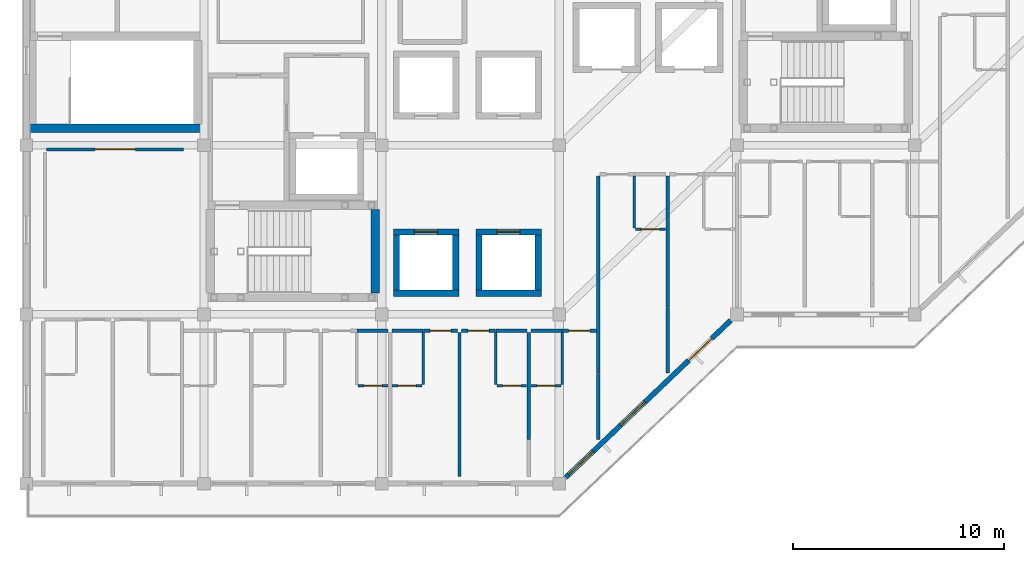
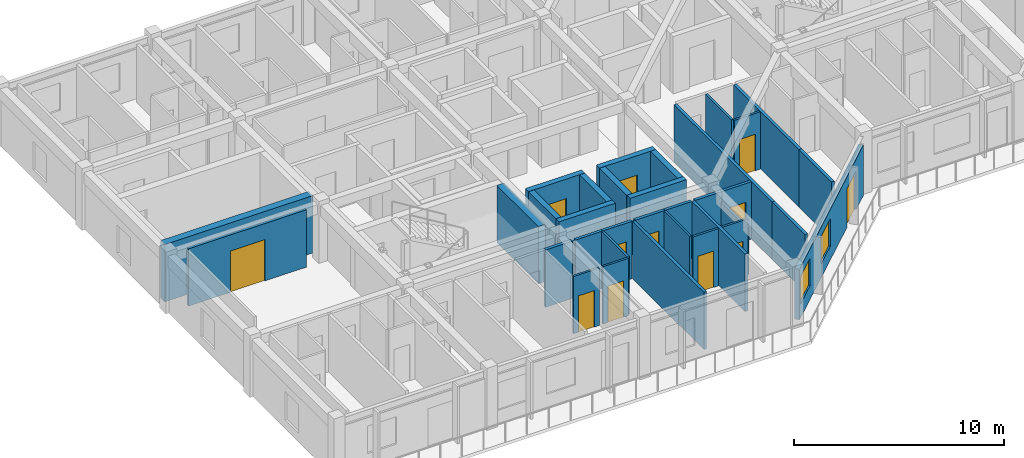
# One storey, part 5 of 14: 34 walls, 12 doors, 2 windows, 14 openings.
"""IFC4 building model written with IfcOpenShell, lengths in metres."""

from ifc_helpers import new_model, si_unit, direction, frame, frame_2d, origin, place, context, subcontext, project, spatial, rectangle, extrude, material, layer, layer_set, type_object, element, fill, save


model = new_model("IFC4")

# Units and contexts
model_context = context("Model", 3, precision=1e-05, world=origin(), true_north=direction((0.0, 1.0)))
body_context = subcontext(model_context, "Body", "Model", "MODEL_VIEW")
ifc_project = project(units=[si_unit("LENGTHUNIT", "METRE"), si_unit("AREAUNIT", "SQUARE_METRE"), si_unit("VOLUMEUNIT", "CUBIC_METRE"), si_unit("PLANEANGLEUNIT", "RADIAN"), si_unit("MASSUNIT", "GRAM", prefix="KILO")], contexts=[model_context])

# Site, building, storey
site_placement = place(None, origin())
site = spatial("IfcSite", under=ifc_project, at=site_placement, CompositionType="ELEMENT")
building_placement = place(site_placement, origin())
building = spatial("IfcBuilding", under=site, at=building_placement, Name="Naruveol Harbour Congress Hotel", CompositionType="ELEMENT")
storey_placement = place(building_placement, frame((0.0, 0.0, 39.60009765625)))
storey = spatial("IfcBuildingStorey", under=building, at=storey_placement, Name="L09", CompositionType="ELEMENT", Elevation=39.60009765625)

# Wall, opening, door
ifc_material_1 = material(Name="Acoustic Double Stud Gypsum", Category="gypsum")
ifc_layer_1 = layer(ifc_material_1, 0.139892578125)
ifc_layer_set_1 = layer_set([ifc_layer_1], Name="Acoustic Double Stud Gypsum")
wall_type_1 = type_object("IfcWallType", Name="ACOUSTIC MEETING PARTITION WALL 140", PredefinedType="PARTITIONING", material=ifc_layer_set_1)
wall_1_placement = place(storey_placement, frame((118.56005859375, 15.800048828125, 0.0), z_axis=(0.0, 0.0, 1.0), x_axis=(1.0, 0.0, 0.0)))
wall_1 = element("IfcWall", 1, at=wall_1_placement, inside=storey, type_object=wall_type_1, Name="Sky Club Salon north entry wall PW-140", PredefinedType="PARTITIONING", context=body_context, shape_type="SweptSolid", body=[
    extrude(rectangle(XDim=6.47998046875, YDim=0.139892578125, at=frame_2d((3.239990234375, 0.0))), origin(), (0.0, 0.0, 1.0), 3.3349609375),
])
opening_1_placement = place(wall_1_placement, frame((2.2900390625, 0.0, 0.0)))
opening_1 = element("IfcOpeningElement", 2, at=opening_1_placement, cuts=wall_1, Name="Opening ID-LG-127", PredefinedType="OPENING", context=body_context, shape_type="SweptSolid", body=[
    extrude(rectangle(XDim=1.89990234375, YDim=2.39990234375, at=frame_2d((0.949951171875, 1.199951171875))), frame((0.0, 0.079833984375, 0.0), z_axis=(0.0, -1.0, 0.0), x_axis=(1.0, 0.0, 0.0)), (0.0, 0.0, 1.0), 0.159912109375),
])
ifc_material_2 = material(Name="Timber & Steel Acoustic Leaf", Category="steel")
door_type_1 = type_object("IfcDoorType", Name="RESTAURANT AND LOUNGE GLAZED DOOR 1900X2400", OperationType="DOUBLE_DOOR_SINGLE_SWING", PredefinedType="DOOR", material=ifc_material_2)
door_1_placement = place(opening_1_placement, origin())
door_1 = element("IfcDoor", 3, at=door_1_placement, inside=storey, type_object=door_type_1, Name="Sky Club Salon Entrance Door", OperationType="DOUBLE_DOOR_SINGLE_SWING", OverallHeight=2.39990234375, OverallWidth=1.89990234375, PredefinedType="DOOR", context=body_context, shape_type="SweptSolid", body=[
    extrude(rectangle(XDim=1.89990234375, YDim=2.39990234375, at=frame_2d((0.949951171875, 1.199951171875))), frame((0.0, 0.02490234375, 0.0), z_axis=(0.0, -1.0, 0.0), x_axis=(1.0, 0.0, 0.0)), (0.0, 0.0, 1.0), 0.050048828125),
])
fill(opening_1, door_1)

ifc_material_3 = material(Name="Moisture-Resistant Gypsum Partition", Category="gypsum")
ifc_layer_2 = layer(ifc_material_3, 0.114990234375)
ifc_layer_set_2 = layer_set([ifc_layer_2], Name="Moisture-Resistant Gypsum Partition")
wall_type_2 = type_object("IfcWallType", Name="BATHROOM MOISTURE PARTITION WALL 115", PredefinedType="PARTITIONING", material=ifc_layer_set_2)
wall_2_placement = place(storey_placement, frame((133.2900390625, 4.6298828125, 0.0), z_axis=(0.0, 0.0, 1.0), x_axis=(1.0, 0.0, 0.0)))
wall_2 = element("IfcWall", 4, at=wall_2_placement, inside=storey, type_object=wall_type_2, Name="Bathroom south wall 1055 PW-115", PredefinedType="PARTITIONING", context=body_context, shape_type="SweptSolid", body=[
    extrude(rectangle(XDim=1.409912109375, YDim=0.114990234375, at=frame_2d((0.705078125, 0.0))), origin(), (0.0, 0.0, 1.0), 3.3349609375),
])
opening_2_placement = place(wall_2_placement, frame((0.27490234375, 0.0, 0.0)))
opening_2 = element("IfcOpeningElement", 5, at=opening_2_placement, cuts=wall_2, Name="Opening BD-RM1055", PredefinedType="OPENING", context=body_context, shape_type="SweptSolid", body=[
    extrude(rectangle(XDim=0.860107421875, YDim=2.1201171875, at=frame_2d((0.43017578125, 1.06005859375))), frame((0.0, 0.0673828125, 0.0), z_axis=(0.0, -1.0, 0.0), x_axis=(1.0, 0.0, 0.0)), (0.0, 0.0, 1.0), 0.135009765625),
])
ifc_material_4 = material(Name="Timber & Steel Acoustic Leaf", Category="steel")
door_type_2 = type_object("IfcDoorType", Name="GUEST BATHROOM DOOR 860X2120", OperationType="NOTDEFINED", PredefinedType="DOOR", material=ifc_material_4)
door_2_placement = place(opening_2_placement, origin())
door_2 = element("IfcDoor", 6, at=door_2_placement, inside=storey, type_object=door_type_2, Name="Bathroom Door 1055", OperationType="SINGLE_SWING_RIGHT", OverallHeight=2.1201171875, OverallWidth=0.860107421875, PredefinedType="DOOR", context=body_context, shape_type="SweptSolid", body=[
    extrude(rectangle(XDim=0.860107421875, YDim=2.1201171875, at=frame_2d((0.43017578125, 1.06005859375))), frame((0.0, 0.02490234375, 0.0), z_axis=(0.0, -1.0, 0.0), x_axis=(1.0, 0.0, 0.0)), (0.0, 0.0, 1.0), 0.050048828125),
])
fill(opening_2, door_2)

# Wall
wall_3_placement = place(storey_placement, frame((136.3701171875, 4.68994140625, 0.0), z_axis=(0.0, 0.0, 1.0), x_axis=(0.0, 1.0, 0.0)))
element("IfcWall", 7, at=wall_3_placement, inside=storey, type_object=wall_type_2, Name="Bathroom east wall 1056 PW-115", PredefinedType="PARTITIONING", context=body_context, shape_type="SweptSolid", body=[
    extrude(rectangle(XDim=2.449951171875, YDim=0.114990234375, at=frame_2d((1.22509765625, 0.0))), origin(), (0.0, 0.0, 1.0), 3.3349609375),
])

# Wall, opening, door
wall_4_placement = place(storey_placement, frame((134.89990234375, 4.6298828125, 0.0), z_axis=(0.0, 0.0, 1.0), x_axis=(1.0, 0.0, 0.0)))
wall_4 = element("IfcWall", 8, at=wall_4_placement, inside=storey, type_object=wall_type_2, Name="Bathroom south wall 1056 PW-115", PredefinedType="PARTITIONING", context=body_context, shape_type="SweptSolid", body=[
    extrude(rectangle(XDim=1.41015625, YDim=0.114990234375, at=frame_2d((0.705078125, 0.0))), origin(), (0.0, 0.0, 1.0), 3.3349609375),
])
opening_3_placement = place(wall_4_placement, frame((0.27490234375, 0.0, 0.0)))
opening_3 = element("IfcOpeningElement", 9, at=opening_3_placement, cuts=wall_4, Name="Opening BD-RM1056", PredefinedType="OPENING", context=body_context, shape_type="SweptSolid", body=[
    extrude(rectangle(XDim=0.860107421875, YDim=2.1201171875, at=frame_2d((0.43017578125, 1.06005859375))), frame((0.0, 0.0673828125, 0.0), z_axis=(0.0, -1.0, 0.0), x_axis=(1.0, 0.0, 0.0)), (0.0, 0.0, 1.0), 0.135009765625),
])
door_3_placement = place(opening_3_placement, origin())
door_3 = element("IfcDoor", 10, at=door_3_placement, inside=storey, type_object=door_type_2, Name="Bathroom Door 1056", OperationType="SINGLE_SWING_RIGHT", OverallHeight=2.1201171875, OverallWidth=0.860107421875, PredefinedType="DOOR", context=body_context, shape_type="SweptSolid", body=[
    extrude(rectangle(XDim=0.860107421875, YDim=2.1201171875, at=frame_2d((0.43017578125, 1.06005859375))), frame((0.0, 0.02490234375, 0.0), z_axis=(0.0, -1.0, 0.0), x_axis=(1.0, 0.0, 0.0)), (0.0, 0.0, 1.0), 0.050048828125),
])
fill(opening_3, door_3)

# Wall
wall_5_placement = place(storey_placement, frame((139.7900390625, 4.68994140625, 0.0), z_axis=(0.0, 0.0, 1.0), x_axis=(0.0, 1.0, 0.0)))
element("IfcWall", 11, at=wall_5_placement, inside=storey, type_object=wall_type_2, Name="Bathroom west wall 1057 PW-115", PredefinedType="PARTITIONING", context=body_context, shape_type="SweptSolid", body=[
    extrude(rectangle(XDim=2.449951171875, YDim=0.114990234375, at=frame_2d((1.22509765625, 0.0))), origin(), (0.0, 0.0, 1.0), 3.3349609375),
])

# Wall, opening, door
wall_6_placement = place(storey_placement, frame((139.85009765625, 4.6298828125, 0.0), z_axis=(0.0, 0.0, 1.0), x_axis=(1.0, 0.0, 0.0)))
wall_6 = element("IfcWall", 12, at=wall_6_placement, inside=storey, type_object=wall_type_2, Name="Bathroom south wall 1057 PW-115", PredefinedType="PARTITIONING", context=body_context, shape_type="SweptSolid", body=[
    extrude(rectangle(XDim=1.409912109375, YDim=0.114990234375, at=frame_2d((0.705078125, 0.0))), origin(), (0.0, 0.0, 1.0), 3.3349609375),
])
opening_4_placement = place(wall_6_placement, frame((0.27490234375, 0.0, 0.0)))
opening_4 = element("IfcOpeningElement", 13, at=opening_4_placement, cuts=wall_6, Name="Opening BD-RM1057", PredefinedType="OPENING", context=body_context, shape_type="SweptSolid", body=[
    extrude(rectangle(XDim=0.860107421875, YDim=2.1201171875, at=frame_2d((0.43017578125, 1.06005859375))), frame((0.0, 0.0673828125, 0.0), z_axis=(0.0, -1.0, 0.0), x_axis=(1.0, 0.0, 0.0)), (0.0, 0.0, 1.0), 0.135009765625),
])
door_4_placement = place(opening_4_placement, origin())
door_4 = element("IfcDoor", 14, at=door_4_placement, inside=storey, type_object=door_type_2, Name="Bathroom Door 1057", OperationType="SINGLE_SWING_RIGHT", OverallHeight=2.1201171875, OverallWidth=0.860107421875, PredefinedType="DOOR", context=body_context, shape_type="SweptSolid", body=[
    extrude(rectangle(XDim=0.860107421875, YDim=2.1201171875, at=frame_2d((0.43017578125, 1.06005859375))), frame((0.0, 0.02490234375, 0.0), z_axis=(0.0, -1.0, 0.0), x_axis=(1.0, 0.0, 0.0)), (0.0, 0.0, 1.0), 0.050048828125),
])
fill(opening_4, door_4)

# Wall
wall_7_placement = place(storey_placement, frame((142.929931640625, 4.68994140625, 0.0), z_axis=(0.0, 0.0, 1.0), x_axis=(0.0, 1.0, 0.0)))
element("IfcWall", 15, at=wall_7_placement, inside=storey, type_object=wall_type_2, Name="Bathroom east wall 1058 PW-115", PredefinedType="PARTITIONING", context=body_context, shape_type="SweptSolid", body=[
    extrude(rectangle(XDim=2.449951171875, YDim=0.114990234375, at=frame_2d((1.22509765625, 0.0))), origin(), (0.0, 0.0, 1.0), 2.739990234375),
])

# Wall, opening, door
wall_8_placement = place(storey_placement, frame((141.4599609375, 4.6298828125, 0.0), z_axis=(0.0, 0.0, 1.0), x_axis=(1.0, 0.0, 0.0)))
wall_8 = element("IfcWall", 16, at=wall_8_placement, inside=storey, type_object=wall_type_2, Name="Bathroom south wall 1058 PW-115", PredefinedType="PARTITIONING", context=body_context, shape_type="SweptSolid", body=[
    extrude(rectangle(XDim=1.41015625, YDim=0.114990234375, at=frame_2d((0.705078125, 0.0))), origin(), (0.0, 0.0, 1.0), 3.3349609375),
])
opening_5_placement = place(wall_8_placement, frame((0.27490234375, 0.0, 0.0)))
opening_5 = element("IfcOpeningElement", 17, at=opening_5_placement, cuts=wall_8, Name="Opening BD-RM1058", PredefinedType="OPENING", context=body_context, shape_type="SweptSolid", body=[
    extrude(rectangle(XDim=0.860107421875, YDim=2.1201171875, at=frame_2d((0.43017578125, 1.06005859375))), frame((0.0, 0.0673828125, 0.0), z_axis=(0.0, -1.0, 0.0), x_axis=(1.0, 0.0, 0.0)), (0.0, 0.0, 1.0), 0.135009765625),
])
door_5_placement = place(opening_5_placement, origin())
door_5 = element("IfcDoor", 18, at=door_5_placement, inside=storey, type_object=door_type_2, Name="Bathroom Door 1058", OperationType="SINGLE_SWING_RIGHT", OverallHeight=2.1201171875, OverallWidth=0.860107421875, PredefinedType="DOOR", context=body_context, shape_type="SweptSolid", body=[
    extrude(rectangle(XDim=0.860107421875, YDim=2.1201171875, at=frame_2d((0.43017578125, 1.06005859375))), frame((0.0, 0.02490234375, 0.0), z_axis=(0.0, -1.0, 0.0), x_axis=(1.0, 0.0, 0.0)), (0.0, 0.0, 1.0), 0.050048828125),
])
fill(opening_5, door_5)

# Wall
wall_9_placement = place(storey_placement, frame((146.35009765625, 12.090087890625, 0.0), z_axis=(0.0, 0.0, 1.0), x_axis=(0.0, 1.0, 0.0)))
element("IfcWall", 19, at=wall_9_placement, inside=storey, type_object=wall_type_2, Name="Bathroom west wall 1059 PW-115", PredefinedType="PARTITIONING", context=body_context, shape_type="SweptSolid", body=[
    extrude(rectangle(XDim=2.449951171875, YDim=0.114990234375, at=frame_2d((1.22509765625, 0.0))), origin(), (0.0, 0.0, 1.0), 3.3349609375),
])

# Wall, opening, door
wall_10_placement = place(storey_placement, frame((146.409912109375, 12.030029296875, 0.0), z_axis=(0.0, 0.0, 1.0), x_axis=(1.0, 0.0, 0.0)))
wall_10 = element("IfcWall", 20, at=wall_10_placement, inside=storey, type_object=wall_type_2, Name="Bathroom south wall 1059 PW-115", PredefinedType="PARTITIONING", context=body_context, shape_type="SweptSolid", body=[
    extrude(rectangle(XDim=1.41015625, YDim=0.114990234375, at=frame_2d((0.705078125, 0.0))), origin(), (0.0, 0.0, 1.0), 3.3349609375),
])
opening_6_placement = place(wall_10_placement, frame((0.27490234375, 0.0, 0.0)))
opening_6 = element("IfcOpeningElement", 21, at=opening_6_placement, cuts=wall_10, Name="Opening BD-RM1059", PredefinedType="OPENING", context=body_context, shape_type="SweptSolid", body=[
    extrude(rectangle(XDim=0.860107421875, YDim=2.1201171875, at=frame_2d((0.43017578125, 1.06005859375))), frame((0.0, 0.0673828125, 0.0), z_axis=(0.0, -1.0, 0.0), x_axis=(1.0, 0.0, 0.0)), (0.0, 0.0, 1.0), 0.135009765625),
])
door_6_placement = place(opening_6_placement, origin())
door_6 = element("IfcDoor", 22, at=door_6_placement, inside=storey, type_object=door_type_2, Name="Bathroom Door 1059", OperationType="SINGLE_SWING_RIGHT", OverallHeight=2.1201171875, OverallWidth=0.860107421875, PredefinedType="DOOR", context=body_context, shape_type="SweptSolid", body=[
    extrude(rectangle(XDim=0.860107421875, YDim=2.1201171875, at=frame_2d((0.43017578125, 1.06005859375))), frame((0.0, 0.02490234375, 0.0), z_axis=(0.0, -1.0, 0.0), x_axis=(1.0, 0.0, 0.0)), (0.0, 0.0, 1.0), 0.050048828125),
])
fill(opening_6, door_6)

# Walls
ifc_material_5 = material(Name="Autoclaved Aerated Concrete Block", Category="concrete")
ifc_layer_3 = layer(ifc_material_5, 0.159912109375)
ifc_layer_set_3 = layer_set([ifc_layer_3], Name="Autoclaved Aerated Concrete Block")
wall_type_3 = type_object("IfcWallType", Name="HOTEL PARTY AND CORRIDOR WALL 160 EI60", PredefinedType="PARTITIONING", material=ifc_layer_set_3)
wall_11_placement = place(storey_placement, frame((133.239990234375, 7.22998046875, 0.0), z_axis=(0.0, 0.0, 1.0), x_axis=(1.0, 0.0, 0.0)))
element("IfcWall", 23, at=wall_11_placement, inside=storey, type_object=wall_type_3, Name="Corridor wall 1055B PW-160", PredefinedType="PARTITIONING", context=body_context, shape_type="SweptSolid", body=[
    extrude(rectangle(XDim=1.469970703125, YDim=0.159912109375, at=frame_2d((0.73486328125, 0.0))), origin(), (0.0, 0.0, 1.0), 3.3349609375),
])
wall_12_placement = place(storey_placement, frame((134.889892578125, 7.22998046875, 0.0), z_axis=(0.0, 0.0, 1.0), x_axis=(1.0, 0.0, 0.0)))
element("IfcWall", 24, at=wall_12_placement, inside=storey, type_object=wall_type_3, Name="Corridor wall 1056B PW-160", PredefinedType="PARTITIONING", context=body_context, shape_type="SweptSolid", body=[
    extrude(rectangle(XDim=1.47021484375, YDim=0.159912109375, at=frame_2d((0.735107421875, 0.0))), origin(), (0.0, 0.0, 1.0), 3.3349609375),
])

# Wall, opening, door
wall_13_placement = place(storey_placement, frame((136.3701171875, 7.22998046875, 0.0), z_axis=(0.0, 0.0, 1.0), x_axis=(1.0, 0.0, 0.0)))
wall_13 = element("IfcWall", 25, at=wall_13_placement, inside=storey, type_object=wall_type_3, Name="Corridor entry wall 1056 PW-160", PredefinedType="PARTITIONING", context=body_context, shape_type="SweptSolid", body=[
    extrude(rectangle(XDim=1.619873046875, YDim=0.159912109375, at=frame_2d((0.81005859375, 0.0))), origin(), (0.0, 0.0, 1.0), 3.3349609375),
])
opening_7_placement = place(wall_13_placement, frame((0.31005859375, 0.0, 0.0)))
opening_7 = element("IfcOpeningElement", 26, at=opening_7_placement, cuts=wall_13, Name="Opening FD-RM1056", PredefinedType="OPENING", context=body_context, shape_type="SweptSolid", body=[
    extrude(rectangle(XDim=1.0, YDim=2.25, at=frame_2d((0.5, 1.125))), frame((0.0, 0.08984375, 0.0), z_axis=(0.0, -1.0, 0.0), x_axis=(1.0, 0.0, 0.0)), (0.0, 0.0, 1.0), 0.179931640625),
])
ifc_material_6 = material(Name="Timber & Steel Acoustic Leaf", Category="steel")
door_type_3 = type_object("IfcDoorType", Name="DELUXE GUEST ENTRANCE FIRE DOOR 1000X2250", OperationType="NOTDEFINED", PredefinedType="DOOR", material=ifc_material_6)
door_7_placement = place(opening_7_placement, origin())
door_7 = element("IfcDoor", 27, at=door_7_placement, inside=storey, type_object=door_type_3, Name="Hotel Room Door 1056", OperationType="SINGLE_SWING_LEFT", OverallHeight=2.25, OverallWidth=1.0, PredefinedType="DOOR", context=body_context, shape_type="SweptSolid", body=[
    extrude(rectangle(XDim=1.0, YDim=2.25, at=frame_2d((0.5, 1.125))), frame((0.0, 0.02490234375, 0.0), z_axis=(0.0, -1.0, 0.0), x_axis=(1.0, 0.0, 0.0)), (0.0, 0.0, 1.0), 0.050048828125),
])
fill(opening_7, door_7)

wall_14_placement = place(storey_placement, frame((138.169921875, 7.22998046875, 0.0), z_axis=(0.0, 0.0, 1.0), x_axis=(1.0, 0.0, 0.0)))
wall_14 = element("IfcWall", 28, at=wall_14_placement, inside=storey, type_object=wall_type_3, Name="Corridor entry wall 1057 PW-160", PredefinedType="PARTITIONING", context=body_context, shape_type="SweptSolid", body=[
    extrude(rectangle(XDim=1.6201171875, YDim=0.159912109375, at=frame_2d((0.81005859375, 0.0))), origin(), (0.0, 0.0, 1.0), 3.3349609375),
])
opening_8_placement = place(wall_14_placement, frame((0.31005859375, 0.0, 0.0)))
opening_8 = element("IfcOpeningElement", 29, at=opening_8_placement, cuts=wall_14, Name="Opening FD-RM1057", PredefinedType="OPENING", context=body_context, shape_type="SweptSolid", body=[
    extrude(rectangle(XDim=1.0, YDim=2.25, at=frame_2d((0.5, 1.125))), frame((0.0, 0.08984375, 0.0), z_axis=(0.0, -1.0, 0.0), x_axis=(1.0, 0.0, 0.0)), (0.0, 0.0, 1.0), 0.179931640625),
])
door_8_placement = place(opening_8_placement, origin())
door_8 = element("IfcDoor", 30, at=door_8_placement, inside=storey, type_object=door_type_3, Name="Hotel Room Door 1057", OperationType="SINGLE_SWING_LEFT", OverallHeight=2.25, OverallWidth=1.0, PredefinedType="DOOR", context=body_context, shape_type="SweptSolid", body=[
    extrude(rectangle(XDim=1.0, YDim=2.25, at=frame_2d((0.5, 1.125))), frame((0.0, 0.02490234375, 0.0), z_axis=(0.0, -1.0, 0.0), x_axis=(1.0, 0.0, 0.0)), (0.0, 0.0, 1.0), 0.050048828125),
])
fill(opening_8, door_8)

# Walls
wall_15_placement = place(storey_placement, frame((139.800048828125, 7.22998046875, 0.0), z_axis=(0.0, 0.0, 1.0), x_axis=(1.0, 0.0, 0.0)))
element("IfcWall", 31, at=wall_15_placement, inside=storey, type_object=wall_type_3, Name="Corridor wall 1057B PW-160", PredefinedType="PARTITIONING", context=body_context, shape_type="SweptSolid", body=[
    extrude(rectangle(XDim=1.469970703125, YDim=0.159912109375, at=frame_2d((0.73486328125, 0.0))), origin(), (0.0, 0.0, 1.0), 3.3349609375),
])
wall_16_placement = place(storey_placement, frame((138.080078125, 0.340087890625, 0.0), z_axis=(0.0, 0.0, 1.0), x_axis=(0.0, 1.0, 0.0)))
element("IfcWall", 32, at=wall_16_placement, inside=storey, type_object=wall_type_3, Name="Hotel party wall 1057 PW-160", PredefinedType="PARTITIONING", context=body_context, shape_type="SweptSolid", body=[
    extrude(rectangle(XDim=6.7998046875, YDim=0.159912109375, at=frame_2d((3.39990234375, 0.0))), origin(), (0.0, 0.0, 1.0), 3.3349609375),
])
wall_17_placement = place(storey_placement, frame((141.449951171875, 7.22998046875, 0.0), z_axis=(0.0, 0.0, 1.0), x_axis=(1.0, 0.0, 0.0)))
element("IfcWall", 33, at=wall_17_placement, inside=storey, type_object=wall_type_3, Name="Corridor wall 1058B PW-160", PredefinedType="PARTITIONING", context=body_context, shape_type="SweptSolid", body=[
    extrude(rectangle(XDim=1.469970703125, YDim=0.159912109375, at=frame_2d((0.73486328125, 0.0))), origin(), (0.0, 0.0, 1.0), 3.3349609375),
])

# Wall, opening, door
wall_18_placement = place(storey_placement, frame((142.929931640625, 7.22998046875, 0.0), z_axis=(0.0, 0.0, 1.0), x_axis=(1.0, 0.0, 0.0)))
wall_18 = element("IfcWall", 34, at=wall_18_placement, inside=storey, type_object=wall_type_3, Name="Corridor entry wall 1058 PW-160", PredefinedType="PARTITIONING", context=body_context, shape_type="SweptSolid", body=[
    extrude(rectangle(XDim=1.6201171875, YDim=0.159912109375, at=frame_2d((0.81005859375, 0.0))), origin(), (0.0, 0.0, 1.0), 3.3349609375),
])
opening_9_placement = place(wall_18_placement, frame((0.31005859375, 0.0, 0.0)))
opening_9 = element("IfcOpeningElement", 35, at=opening_9_placement, cuts=wall_18, Name="Opening FD-RM1058", PredefinedType="OPENING", context=body_context, shape_type="SweptSolid", body=[
    extrude(rectangle(XDim=1.0, YDim=2.25, at=frame_2d((0.5, 1.125))), frame((0.0, 0.08984375, 0.0), z_axis=(0.0, -1.0, 0.0), x_axis=(1.0, 0.0, 0.0)), (0.0, 0.0, 1.0), 0.179931640625),
])
door_9_placement = place(opening_9_placement, origin())
door_9 = element("IfcDoor", 36, at=door_9_placement, inside=storey, type_object=door_type_3, Name="Hotel Room Door 1058", OperationType="SINGLE_SWING_LEFT", OverallHeight=2.25, OverallWidth=1.0, PredefinedType="DOOR", context=body_context, shape_type="SweptSolid", body=[
    extrude(rectangle(XDim=1.0, YDim=2.25, at=frame_2d((0.5, 1.125))), frame((0.0, 0.02490234375, 0.0), z_axis=(0.0, -1.0, 0.0), x_axis=(1.0, 0.0, 0.0)), (0.0, 0.0, 1.0), 0.050048828125),
])
fill(opening_9, door_9)

# Walls
wall_19_placement = place(storey_placement, frame((141.360107421875, 2.090087890625, 0.0), z_axis=(0.0, 0.0, 1.0), x_axis=(0.0, 1.0, 0.0)))
element("IfcWall", 37, at=wall_19_placement, inside=storey, type_object=wall_type_3, Name="Hotel party wall 1058 PW-160", PredefinedType="PARTITIONING", context=body_context, shape_type="SweptSolid", body=[
    extrude(rectangle(XDim=5.0498046875, YDim=0.159912109375, at=frame_2d((2.52490234375, 0.0))), origin(), (0.0, 0.0, 1.0), 3.3349609375),
])
wall_20_placement = place(storey_placement, frame((144.639892578125, 2.090087890625, 0.0), z_axis=(0.0, 0.0, 1.0), x_axis=(0.0, 1.0, 0.0)))
element("IfcWall", 38, at=wall_20_placement, inside=storey, type_object=wall_type_3, Name="Hotel end party wall 1058 PW-160", PredefinedType="PARTITIONING", context=body_context, shape_type="SweptSolid", body=[
    extrude(rectangle(XDim=3.119873046875, YDim=0.159912109375, at=frame_2d((1.56005859375, 0.0))), origin(), (0.0, 0.0, 1.0), 3.3349609375),
])
wall_21_placement = place(storey_placement, frame((144.639892578125, 5.219970703125, 0.0), z_axis=(0.0, 0.0, 1.0), x_axis=(0.0, 1.0, 0.0)))
element("IfcWall", 39, at=wall_21_placement, inside=storey, type_object=wall_type_3, Name="Hotel party wall 1059 PW-160", PredefinedType="PARTITIONING", context=body_context, shape_type="SweptSolid", body=[
    extrude(rectangle(XDim=9.320068359375, YDim=0.159912109375, at=frame_2d((4.66015625, 0.0))), origin(), (0.0, 0.0, 1.0), 3.3349609375),
])
wall_22_placement = place(storey_placement, frame((147.919921875, 5.219970703125, 0.0), z_axis=(0.0, 0.0, 1.0), x_axis=(0.0, 1.0, 0.0)))
element("IfcWall", 40, at=wall_22_placement, inside=storey, type_object=wall_type_3, Name="Hotel end party wall 1059 PW-160", PredefinedType="PARTITIONING", context=body_context, shape_type="SweptSolid", body=[
    extrude(rectangle(XDim=3.110107421875, YDim=0.159912109375, at=frame_2d((1.55517578125, 0.0))), origin(), (0.0, 0.0, 1.0), 3.3349609375),
])
wall_23_placement = place(storey_placement, frame((147.919921875, 8.340087890625, 0.0), z_axis=(0.0, 0.0, 1.0), x_axis=(0.0, 1.0, 0.0)))
element("IfcWall", 41, at=wall_23_placement, inside=storey, type_object=wall_type_3, Name="Hotel party wall 1060 PW-160", PredefinedType="PARTITIONING", context=body_context, shape_type="SweptSolid", body=[
    extrude(rectangle(XDim=6.199951171875, YDim=0.159912109375, at=frame_2d((3.10009765625, 0.0))), origin(), (0.0, 0.0, 1.0), 3.3349609375),
])

# Wall, openings, windows, door
ifc_material_7 = material(Name="Concrete C40/50", Category="concrete")
ifc_layer_4 = layer(ifc_material_7, 0.239990234375)
ifc_layer_set_4 = layer_set([ifc_layer_4], Name="Concrete C40/50")
wall_type_4 = type_object("IfcWallType", Name="INSULATED HOTEL SPANDREL WALL 240", PredefinedType="SOLIDWALL", material=ifc_layer_set_4)
wall_24_placement = place(storey_placement, frame((150.89990234375, 7.714111328125, 0.0), z_axis=(0.0, 0.0, 1.0), x_axis=(-0.724145477467, -0.689647248573, 0.0)))
wall_24 = element("IfcWall", 42, at=wall_24_placement, inside=storey, type_object=wall_type_4, Name="Hotel south waterfront wall L09 EW-240", PredefinedType="SOLIDWALL", context=body_context, shape_type="SweptSolid", body=[
    extrude(rectangle(XDim=10.77099609375, YDim=0.239990234375, at=frame_2d((5.385498046875, 0.0))), origin(), (0.0, 0.0, 1.0), 2.93994140625),
])
opening_10_placement = place(wall_24_placement, frame((1.238037109375, 0.0, 0.0)))
opening_10 = element("IfcOpeningElement", 43, at=opening_10_placement, cuts=wall_24, Name="Opening BD-150-070", PredefinedType="OPENING", context=body_context, shape_type="SweptSolid", body=[
    extrude(rectangle(XDim=1.5, YDim=2.25, at=frame_2d((0.75, 1.125))), frame((0.0, 0.1298828125, 0.0), z_axis=(0.0, -1.0, 0.0), x_axis=(1.0, 0.0, 0.0)), (0.0, 0.0, 1.0), 0.260009765625),
])
opening_11_placement = place(wall_24_placement, frame((5.580078125, 0.0, 0.800048828125)))
opening_11 = element("IfcOpeningElement", 44, at=opening_11_placement, cuts=wall_24, Name="Opening W-03", PredefinedType="OPENING", context=body_context, shape_type="SweptSolid", body=[
    extrude(rectangle(XDim=1.60009765625, YDim=1.60009765625, at=frame_2d((0.800048828125, 0.800048828125))), frame((0.0, 0.1298828125, 0.0), z_axis=(0.0, -1.0, 0.0), x_axis=(1.0, 0.0, 0.0)), (0.0, 0.0, 1.0), 0.260009765625),
])
opening_12_placement = place(wall_24_placement, frame((8.97705078125, 0.0, 0.800048828125)))
opening_12 = element("IfcOpeningElement", 45, at=opening_12_placement, cuts=wall_24, Name="Opening W-03", PredefinedType="OPENING", context=body_context, shape_type="SweptSolid", body=[
    extrude(rectangle(XDim=1.60009765625, YDim=1.60009765625, at=frame_2d((0.800048828125, 0.800048828125))), frame((0.0, 0.1298828125, 0.0), z_axis=(0.0, -1.0, 0.0), x_axis=(1.0, 0.0, 0.0)), (0.0, 0.0, 1.0), 0.260009765625),
])
ifc_material_8 = material(Name="Low-E Triple Glazing in Thermal Aluminium", Category="aluminium")
window_type = type_object("IfcWindowType", Name="DELUXE GUEST WINDOW 1600X1600", PartitioningType="SINGLE_PANEL", PredefinedType="WINDOW", material=ifc_material_8)
window_1_placement = place(opening_11_placement, origin())
window_1 = element("IfcWindow", 46, at=window_1_placement, inside=storey, type_object=window_type, Name="Window W-03 #458", OverallHeight=1.60009765625, OverallWidth=1.60009765625, PartitioningType="SINGLE_PANEL", PredefinedType="WINDOW", context=body_context, shape_type="SweptSolid", body=[
    extrude(rectangle(XDim=1.60009765625, YDim=1.60009765625, at=frame_2d((0.800048828125, 0.800048828125))), frame((0.0, 0.030029296875, 0.0), z_axis=(0.0, -1.0, 0.0), x_axis=(1.0, 0.0, 0.0)), (0.0, 0.0, 1.0), 0.06005859375),
])
fill(opening_11, window_1)
window_2_placement = place(opening_12_placement, origin())
window_2 = element("IfcWindow", 47, at=window_2_placement, inside=storey, type_object=window_type, Name="Window W-03 #459", OverallHeight=1.60009765625, OverallWidth=1.60009765625, PartitioningType="SINGLE_PANEL", PredefinedType="WINDOW", context=body_context, shape_type="SweptSolid", body=[
    extrude(rectangle(XDim=1.60009765625, YDim=1.60009765625, at=frame_2d((0.800048828125, 0.800048828125))), frame((0.0, 0.030029296875, 0.0), z_axis=(0.0, -1.0, 0.0), x_axis=(1.0, 0.0, 0.0)), (0.0, 0.0, 1.0), 0.06005859375),
])
fill(opening_12, window_2)
ifc_material_9 = material(Name="Powder-Coated Steel & Insulated Glazing", Category="steel")
door_type_4 = type_object("IfcDoorType", Name="SUITE BALCONY SLIDING DOOR 1500X2250", OperationType="SLIDING_TO_LEFT", PredefinedType="DOOR", material=ifc_material_9)
door_10_placement = place(opening_10_placement, origin())
door_10 = element("IfcDoor", 48, at=door_10_placement, inside=storey, type_object=door_type_4, Name="Exterior door BD-150-070", OperationType="SLIDING_TO_LEFT", OverallHeight=2.25, OverallWidth=1.5, PredefinedType="DOOR", context=body_context, shape_type="SweptSolid", body=[
    extrude(rectangle(XDim=1.5, YDim=2.25, at=frame_2d((0.75, 1.125))), frame((0.0, 0.02490234375, 0.0), z_axis=(0.0, -1.0, 0.0), x_axis=(1.0, 0.0, 0.0)), (0.0, 0.0, 1.0), 0.050048828125),
])
fill(opening_10, door_10)

# Walls
ifc_material_10 = material(Name="Concrete C50/60", Category="concrete")
ifc_layer_5 = layer(ifc_material_10, 0.39990234375)
ifc_layer_set_5 = layer_set([ifc_layer_5], Name="Concrete C50/60")
wall_type_5 = type_object("IfcWallType", Name="RC CORE SHEAR WALL 400 EI120", PredefinedType="SHEAR", material=ifc_layer_set_5)
wall_25_placement = place(storey_placement, frame((134.10009765625, 9.0048828125, 0.0), z_axis=(0.0, 0.0, 1.0), x_axis=(0.0, 1.0, 0.0)))
element("IfcWall", 49, at=wall_25_placement, inside=storey, type_object=wall_type_5, Name="Stair ST1 east core wall CW-400", PredefinedType="SHEAR", context=body_context, shape_type="SweptSolid", body=[
    extrude(rectangle(XDim=3.9501953125, YDim=0.39990234375, at=frame_2d((1.97509765625, 0.0))), origin(), (0.0, 0.0, 1.0), 3.3349609375),
])
wall_26_placement = place(storey_placement, frame((117.75, 16.800048828125, 0.0), z_axis=(0.0, 0.0, 1.0), x_axis=(1.0, 0.0, 0.0)))
element("IfcWall", 50, at=wall_26_placement, inside=storey, type_object=wall_type_5, Name="Stair ST3 south core wall CW-400", PredefinedType="SHEAR", context=body_context, shape_type="SweptSolid", body=[
    extrude(rectangle(XDim=8.14990234375, YDim=0.39990234375, at=frame_2d((4.074951171875, 0.0))), origin(), (0.0, 0.0, 1.0), 3.3349609375),
])
ifc_material_11 = material(Name="Concrete C50/60", Category="concrete")
ifc_layer_6 = layer(ifc_material_11, 0.300048828125)
ifc_layer_set_6 = layer_set([ifc_layer_6], Name="Concrete C50/60")
wall_type_6 = type_object("IfcWallType", Name="RC STAIR AND HOISTWAY SHEAR WALL 300 EI120", PredefinedType="SHEAR", material=ifc_layer_set_6)
wall_27_placement = place(storey_placement, frame((134.949951171875, 9.0, 0.0), z_axis=(0.0, 0.0, 1.0), x_axis=(1.0, 0.0, 0.0)))
element("IfcWall", 51, at=wall_27_placement, inside=storey, type_object=wall_type_6, Name="Hoistway south shear wall PL3 SW-300", PredefinedType="SHEAR", context=body_context, shape_type="SweptSolid", body=[
    extrude(rectangle(XDim=3.10009765625, YDim=0.300048828125, at=frame_2d((1.550048828125, 0.0))), origin(), (0.0, 0.0, 1.0), 3.3349609375),
])
wall_28_placement = place(storey_placement, frame((137.89990234375, 9.155029296875, 0.0), z_axis=(0.0, 0.0, 1.0), x_axis=(0.0, 1.0, 0.0)))
element("IfcWall", 52, at=wall_28_placement, inside=storey, type_object=wall_type_6, Name="Hoistway east shear wall PL3 SW-300", PredefinedType="SHEAR", context=body_context, shape_type="SweptSolid", body=[
    extrude(rectangle(XDim=2.590087890625, YDim=0.300048828125, at=frame_2d((1.294921875, 0.0))), origin(), (0.0, 0.0, 1.0), 3.3349609375),
])

# Wall, opening, door
wall_29_placement = place(storey_placement, frame((138.050048828125, 11.89990234375, 0.0), z_axis=(0.0, 0.0, 1.0), x_axis=(-1.0, 0.0, 0.0)))
wall_29 = element("IfcWall", 53, at=wall_29_placement, inside=storey, type_object=wall_type_6, Name="Hoistway north shear wall PL3 SW-300", PredefinedType="SHEAR", context=body_context, shape_type="SweptSolid", body=[
    extrude(rectangle(XDim=3.10009765625, YDim=0.300048828125, at=frame_2d((1.550048828125, 0.0))), origin(), (0.0, 0.0, 1.0), 3.3349609375),
])
opening_13_placement = place(wall_29_placement, frame((1.0, 0.0, 0.0)))
opening_13 = element("IfcOpeningElement", 54, at=opening_13_placement, cuts=wall_29, Name="Opening LD-PL3-L09", PredefinedType="OPENING", context=body_context, shape_type="SweptSolid", body=[
    extrude(rectangle(XDim=1.10009765625, YDim=2.199951171875, at=frame_2d((0.550048828125, 1.10009765625))), frame((0.0, 0.159912109375, 0.0), z_axis=(0.0, -1.0, 0.0), x_axis=(1.0, 0.0, 0.0)), (0.0, 0.0, 1.0), 0.320068359375),
])
ifc_material_12 = material(Name="Stainless Steel Lift Door", Category="steel")
door_type_5 = type_object("IfcDoorType", Name="PASSENGER LIFT LANDING DOOR 1100X2200", OperationType="DOUBLE_DOOR_SLIDING", PredefinedType="DOOR", material=ifc_material_12)
door_11_placement = place(opening_13_placement, origin())
door_11 = element("IfcDoor", 55, at=door_11_placement, inside=storey, type_object=door_type_5, Name="Elevator Landing Door PL3 L09", OperationType="DOUBLE_DOOR_SLIDING", OverallHeight=2.199951171875, OverallWidth=1.10009765625, PredefinedType="DOOR", context=body_context, shape_type="SweptSolid", body=[
    extrude(rectangle(XDim=1.10009765625, YDim=2.199951171875, at=frame_2d((0.550048828125, 1.10009765625))), frame((0.0, 0.02490234375, 0.0), z_axis=(0.0, -1.0, 0.0), x_axis=(1.0, 0.0, 0.0)), (0.0, 0.0, 1.0), 0.050048828125),
])
fill(opening_13, door_11)

# Walls
wall_30_placement = place(storey_placement, frame((135.10009765625, 11.7451171875, 0.0), z_axis=(0.0, 0.0, 1.0), x_axis=(0.0, -1.0, 0.0)))
element("IfcWall", 56, at=wall_30_placement, inside=storey, type_object=wall_type_6, Name="Hoistway west shear wall PL3 SW-300", PredefinedType="SHEAR", context=body_context, shape_type="SweptSolid", body=[
    extrude(rectangle(XDim=2.590087890625, YDim=0.300048828125, at=frame_2d((1.294921875, 0.0))), origin(), (0.0, 0.0, 1.0), 3.3349609375),
])
wall_31_placement = place(storey_placement, frame((138.85009765625, 9.0, 0.0), z_axis=(0.0, 0.0, 1.0), x_axis=(1.0, 0.0, 0.0)))
element("IfcWall", 57, at=wall_31_placement, inside=storey, type_object=wall_type_6, Name="Hoistway south shear wall PL4 SW-300", PredefinedType="SHEAR", context=body_context, shape_type="SweptSolid", body=[
    extrude(rectangle(XDim=3.099853515625, YDim=0.300048828125, at=frame_2d((1.5498046875, 0.0))), origin(), (0.0, 0.0, 1.0), 3.3349609375),
])
wall_32_placement = place(storey_placement, frame((141.800048828125, 9.155029296875, 0.0), z_axis=(0.0, 0.0, 1.0), x_axis=(0.0, 1.0, 0.0)))
element("IfcWall", 58, at=wall_32_placement, inside=storey, type_object=wall_type_6, Name="Hoistway east shear wall PL4 SW-300", PredefinedType="SHEAR", context=body_context, shape_type="SweptSolid", body=[
    extrude(rectangle(XDim=2.590087890625, YDim=0.300048828125, at=frame_2d((1.294921875, 0.0))), origin(), (0.0, 0.0, 1.0), 3.3349609375),
])

# Wall, opening, door
wall_33_placement = place(storey_placement, frame((141.949951171875, 11.89990234375, 0.0), z_axis=(0.0, 0.0, 1.0), x_axis=(-1.0, 0.0, 0.0)))
wall_33 = element("IfcWall", 59, at=wall_33_placement, inside=storey, type_object=wall_type_6, Name="Hoistway north shear wall PL4 SW-300", PredefinedType="SHEAR", context=body_context, shape_type="SweptSolid", body=[
    extrude(rectangle(XDim=3.099853515625, YDim=0.300048828125, at=frame_2d((1.5498046875, 0.0))), origin(), (0.0, 0.0, 1.0), 3.3349609375),
])
opening_14_placement = place(wall_33_placement, frame((1.0, 0.0, 0.0)))
opening_14 = element("IfcOpeningElement", 60, at=opening_14_placement, cuts=wall_33, Name="Opening LD-PL4-L09", PredefinedType="OPENING", context=body_context, shape_type="SweptSolid", body=[
    extrude(rectangle(XDim=1.10009765625, YDim=2.199951171875, at=frame_2d((0.550048828125, 1.10009765625))), frame((0.0, 0.159912109375, 0.0), z_axis=(0.0, -1.0, 0.0), x_axis=(1.0, 0.0, 0.0)), (0.0, 0.0, 1.0), 0.320068359375),
])
door_12_placement = place(opening_14_placement, origin())
door_12 = element("IfcDoor", 61, at=door_12_placement, inside=storey, type_object=door_type_5, Name="Elevator Landing Door PL4 L09", OperationType="DOUBLE_DOOR_SLIDING", OverallHeight=2.199951171875, OverallWidth=1.10009765625, PredefinedType="DOOR", context=body_context, shape_type="SweptSolid", body=[
    extrude(rectangle(XDim=1.10009765625, YDim=2.199951171875, at=frame_2d((0.550048828125, 1.10009765625))), frame((0.0, 0.02490234375, 0.0), z_axis=(0.0, -1.0, 0.0), x_axis=(1.0, 0.0, 0.0)), (0.0, 0.0, 1.0), 0.050048828125),
])
fill(opening_14, door_12)

# Wall
wall_34_placement = place(storey_placement, frame((139.0, 11.7451171875, 0.0), z_axis=(0.0, 0.0, 1.0), x_axis=(0.0, -1.0, 0.0)))
element("IfcWall", 62, at=wall_34_placement, inside=storey, type_object=wall_type_6, Name="Hoistway west shear wall PL4 SW-300", PredefinedType="SHEAR", context=body_context, shape_type="SweptSolid", body=[
    extrude(rectangle(XDim=2.590087890625, YDim=0.300048828125, at=frame_2d((1.294921875, 0.0))), origin(), (0.0, 0.0, 1.0), 3.3349609375),
])

save(model, "model.ifc")
